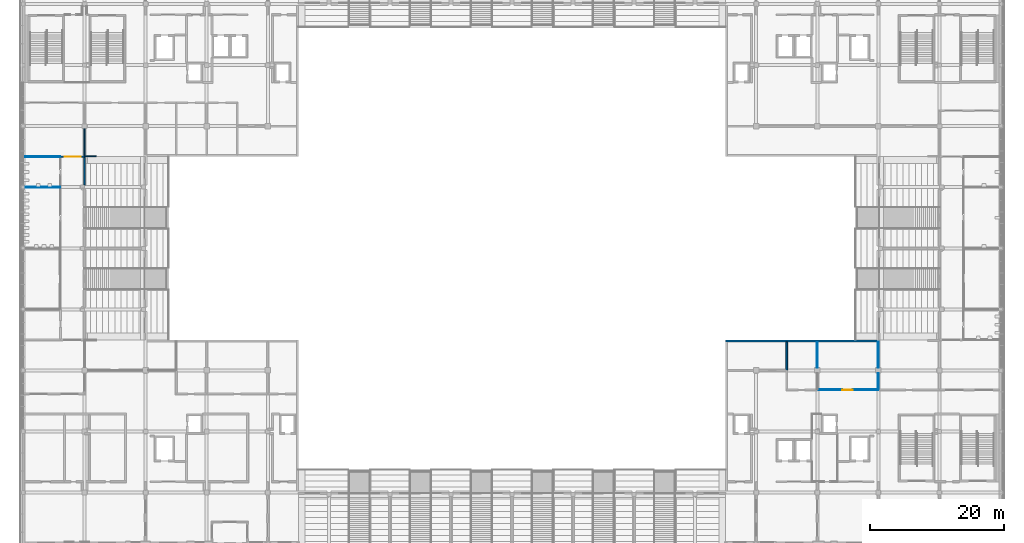
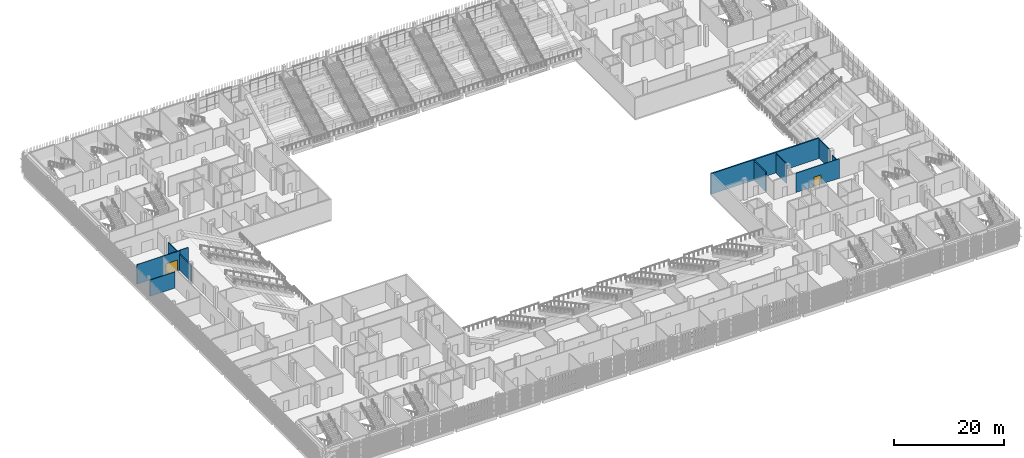
# One storey, part 81 of 139: 12 walls, 2 doors, 2 openings.
"""IFC4 building model written with IfcOpenShell, lengths in metres."""

from ifc_helpers import new_model, si_unit, direction, frame, frame_2d, origin, place, context, subcontext, project, spatial, rectangle, extrude, material, layer, layer_set, type_object, element, fill, save


model = new_model("IFC4")

# Units and contexts
model_context = context("Model", 3, precision=1e-05, world=origin(), true_north=direction((0.0, 1.0)))
body_context = subcontext(model_context, "Body", "Model", "MODEL_VIEW")
ifc_project = project(units=[si_unit("LENGTHUNIT", "METRE"), si_unit("AREAUNIT", "SQUARE_METRE"), si_unit("VOLUMEUNIT", "CUBIC_METRE"), si_unit("PLANEANGLEUNIT", "RADIAN"), si_unit("MASSUNIT", "GRAM", prefix="KILO")], contexts=[model_context])

# Site, building, storey
site_placement = place(None, origin())
site = spatial("IfcSite", under=ifc_project, at=site_placement, CompositionType="ELEMENT")
building_placement = place(site_placement, origin())
building = spatial("IfcBuilding", under=site, at=building_placement, Name="Shirokan Park Arena", CompositionType="ELEMENT")
storey_placement = place(building_placement, frame((0.0, 0.0, 15.469970703125)))
storey = spatial("IfcBuildingStorey", under=building, at=storey_placement, Name="L03", CompositionType="ELEMENT", Elevation=15.469970703125)

# Walls
ifc_material_1 = material(Name="Gypsum board")
ifc_layer_1 = layer(ifc_material_1, 0.02490234375, Name="Gypsum board, two layers")
ifc_material_2 = material(Name="Mineral wool insulation")
ifc_layer_2 = layer(ifc_material_2, 0.10009765625, Name="Acoustic mineral wool in studs")
ifc_layer_3 = layer(ifc_material_1, 0.02490234375, Name="Gypsum board, two layers")
ifc_material_3 = material(Name="Acoustic mat on resilient channel")
ifc_layer_4 = layer(ifc_material_3, 0.02490234375, Name="Acoustic mat on resilient channel")
ifc_layer_set_1 = layer_set([ifc_layer_1, ifc_layer_2, ifc_layer_3, ifc_layer_4], Name="Gypsum board, two layers + Acoustic mineral wool in studs + Acoustic mat on resilient channel")
wall_type_1 = type_object("IfcWallType", Name="Acoustic studio wall 175", PredefinedType="PARTITIONING", material=ifc_layer_set_1)
wall_1_placement = place(storey_placement, frame((9.10009765625, 68.35009765625, 0.0), z_axis=(0.0, 0.0, 1.0), x_axis=(0.0, 1.0, 0.0)))
element("IfcWall", 1, at=wall_1_placement, inside=storey, type_object=wall_type_1, Name="Acoustic studio wall 175 L03", PredefinedType="PARTITIONING", context=body_context, shape_type="SweptSolid", body=[
    extrude(rectangle(XDim=4.099853515625, YDim=0.175048828125, at=frame_2d((2.0498046875, 0.0))), origin(), (0.0, 0.0, 1.0), 3.550048828125),
])
wall_2_placement = place(storey_placement, frame((10.8701171875, 68.33837890625, 0.0), z_axis=(0.0, 0.0, 1.0), x_axis=(-1.0, 0.0, 0.0)))
element("IfcWall", 2, at=wall_2_placement, inside=storey, type_object=wall_type_1, Name="Acoustic studio wall 175 L03", PredefinedType="PARTITIONING", context=body_context, shape_type="SweptSolid", body=[
    extrude(rectangle(XDim=1.77001953125, YDim=0.175048828125, at=frame_2d((0.885009765625, 0.0))), origin(), (0.0, 0.0, 1.0), 4.300048828125),
])
ifc_material_4 = material(Name="Plaster")
ifc_layer_5 = layer(ifc_material_4, 0.014892578125, Name="Plaster")
ifc_material_5 = material(Name="Concrete blockwork", Category="masonry")
ifc_layer_6 = layer(ifc_material_5, 0.219970703125, Name="Concrete blockwork 220")
ifc_layer_7 = layer(ifc_material_4, 0.014892578125, Name="Plaster")
ifc_layer_set_2 = layer_set([ifc_layer_5, ifc_layer_6, ifc_layer_7], Name="Plaster + Concrete blockwork 220")
wall_type_2 = type_object("IfcWallType", Name="Compartment wall 250", PredefinedType="SOLIDWALL", material=ifc_layer_set_2)
wall_3_placement = place(storey_placement, frame((113.75, 36.39990234375, 0.0), z_axis=(0.0, 0.0, 1.0), x_axis=(0.0, 1.0, 0.0)))
element("IfcWall", 3, at=wall_3_placement, inside=storey, type_object=wall_type_2, Name="Compartment wall 250 L03", PredefinedType="SOLIDWALL", context=body_context, shape_type="SweptSolid", body=[
    extrude(rectangle(XDim=4.25, YDim=0.25, at=frame_2d((2.125, 0.0))), origin(), (0.0, 0.0, 1.0), 4.300048828125),
])

# Wall, opening, door
ifc_layer_8 = layer(ifc_material_1, 0.02490234375, Name="Gypsum board, two layers")
ifc_layer_9 = layer(ifc_material_2, 0.14990234375, Name="Mineral wool insulation")
ifc_layer_10 = layer(ifc_material_1, 0.02490234375, Name="Gypsum board, two layers")
ifc_layer_set_3 = layer_set([ifc_layer_8, ifc_layer_9, ifc_layer_10], Name="Gypsum board, two layers + Mineral wool insulation")
wall_type_3 = type_object("IfcWallType", Name="Corridor wall 200", PredefinedType="PARTITIONING", material=ifc_layer_set_3)
wall_4_placement = place(storey_placement, frame((9.10009765625, 68.25, 0.0), z_axis=(0.0, 0.0, 1.0), x_axis=(-1.0, 0.0, 0.0)))
wall_4 = element("IfcWall", 4, at=wall_4_placement, inside=storey, type_object=wall_type_3, Name="Corridor wall 200 L03", PredefinedType="PARTITIONING", context=body_context, shape_type="SweptSolid", body=[
    extrude(rectangle(XDim=3.60009765625, YDim=0.199951171875, at=frame_2d((1.800048828125, 0.0))), origin(), (0.0, 0.0, 1.0), 4.300048828125),
])
opening_1_placement = place(wall_4_placement, frame((0.550048828125, 0.0, 0.0)))
opening_1 = element("IfcOpeningElement", 5, at=opening_1_placement, cuts=wall_4, Name="Opening D-3136", PredefinedType="OPENING", context=body_context, shape_type="SweptSolid", body=[
    extrude(rectangle(XDim=2.39990234375, YDim=2.39990234375, at=frame_2d((1.199951171875, 1.199951171875))), frame((0.0, 0.10986328125, 0.0), z_axis=(0.0, -1.0, 0.0), x_axis=(1.0, 0.0, 0.0)), (0.0, 0.0, 1.0), 0.219970703125),
])
ifc_material_6 = material(Name="Steel door set, fire resisting", Category="steel")
door_type_1 = type_object("IfcDoorType", Name="Double door 2400 x 2400", OperationType="DOUBLE_DOOR_SINGLE_SWING", PredefinedType="DOOR", material=ifc_material_6)
door_1_placement = place(opening_1_placement, origin())
door_1 = element("IfcDoor", 6, at=door_1_placement, inside=storey, type_object=door_type_1, Name="Door between Concourse Link 4.3 and Suite Corridor 3.04 D-3136", OperationType="DOUBLE_DOOR_SINGLE_SWING", OverallHeight=2.39990234375, OverallWidth=2.39990234375, PredefinedType="DOOR", context=body_context, shape_type="SweptSolid", body=[
    extrude(rectangle(XDim=2.39990234375, YDim=2.39990234375, at=frame_2d((1.199951171875, 1.199951171875))), frame((0.0, 0.02490234375, 0.0), z_axis=(0.0, -1.0, 0.0), x_axis=(1.0, 0.0, 0.0)), (0.0, 0.0, 1.0), 0.050048828125),
])
fill(opening_1, door_1)

# Wall
ifc_material_7 = material(Name="Ceramic tile")
ifc_layer_11 = layer(ifc_material_7, 0.010009765625, Name="Ceramic tile")
ifc_material_8 = material(Name="Render")
ifc_layer_12 = layer(ifc_material_8, 0.010009765625, Name="Render")
ifc_layer_13 = layer(ifc_material_5, 0.10009765625, Name="Concrete blockwork 100")
ifc_layer_14 = layer(ifc_material_8, 0.010009765625, Name="Render")
ifc_layer_15 = layer(ifc_material_7, 0.010009765625, Name="Ceramic tile")
ifc_layer_set_4 = layer_set([ifc_layer_11, ifc_layer_12, ifc_layer_13, ifc_layer_14, ifc_layer_15], Name="Ceramic tile + Render + Concrete blockwork 100")
wall_type_4 = type_object("IfcWallType", Name="Kitchen wall 140", PredefinedType="SOLIDWALL", material=ifc_layer_set_4)
wall_5_placement = place(storey_placement, frame((118.300048828125, 36.800048828125, 0.0), z_axis=(0.0, 0.0, 1.0), x_axis=(0.0, 1.0, 0.0)))
element("IfcWall", 7, at=wall_5_placement, inside=storey, type_object=wall_type_4, Name="Kitchen wall 140 L03", PredefinedType="SOLIDWALL", context=body_context, shape_type="SweptSolid", body=[
    extrude(rectangle(XDim=3.849853515625, YDim=0.139892578125, at=frame_2d((1.9248046875, 0.0))), origin(), (0.0, 0.0, 1.0), 4.300048828125),
])

# Wall, opening, door
wall_6_placement = place(storey_placement, frame((127.39990234375, 33.5, 0.0), z_axis=(0.0, 0.0, 1.0), x_axis=(-1.0, 0.0, 0.0)))
wall_6 = element("IfcWall", 8, at=wall_6_placement, inside=storey, type_object=wall_type_4, Name="Kitchen wall 140 L03", PredefinedType="SOLIDWALL", context=body_context, shape_type="SweptSolid", body=[
    extrude(rectangle(XDim=9.099853515625, YDim=0.139892578125, at=frame_2d((4.5498046875, 0.0))), origin(), (0.0, 0.0, 1.0), 4.300048828125),
])
opening_2_placement = place(wall_6_placement, frame((3.85009765625, 0.0, 0.0)))
opening_2 = element("IfcOpeningElement", 9, at=opening_2_placement, cuts=wall_6, Name="Opening D-3020", PredefinedType="OPENING", context=body_context, shape_type="SweptSolid", body=[
    extrude(rectangle(XDim=1.5, YDim=2.10009765625, at=frame_2d((0.75, 1.050048828125))), frame((0.0, 0.079833984375, 0.0), z_axis=(0.0, -1.0, 0.0), x_axis=(1.0, 0.0, 0.0)), (0.0, 0.0, 1.0), 0.159912109375),
])
ifc_material_9 = material(Name="Stainless steel door set, fire resisting", Category="steel")
door_type_2 = type_object("IfcDoorType", Name="Kitchen door 1500 x 2100", OperationType="DOUBLE_DOOR_SINGLE_SWING", PredefinedType="DOOR", material=ifc_material_9)
door_2_placement = place(opening_2_placement, origin())
door_2 = element("IfcDoor", 10, at=door_2_placement, inside=storey, type_object=door_type_2, Name="Door to Hospitality Catering Kitchen 3.22 D-3020", OperationType="DOUBLE_DOOR_SINGLE_SWING", OverallHeight=2.10009765625, OverallWidth=1.5, PredefinedType="DOOR", context=body_context, shape_type="SweptSolid", body=[
    extrude(rectangle(XDim=1.5, YDim=2.10009765625, at=frame_2d((0.75, 1.050048828125))), frame((0.0, 0.02490234375, 0.0), z_axis=(0.0, -1.0, 0.0), x_axis=(1.0, 0.0, 0.0)), (0.0, 0.0, 1.0), 0.050048828125),
])
fill(opening_2, door_2)

# Walls
wall_7_placement = place(storey_placement, frame((127.39990234375, 33.625, 0.0), z_axis=(0.0, 0.0, 1.0), x_axis=(0.0, 1.0, 0.0)))
element("IfcWall", 11, at=wall_7_placement, inside=storey, type_object=wall_type_4, Name="Kitchen wall 140 L03", PredefinedType="SOLIDWALL", context=body_context, shape_type="SweptSolid", body=[
    extrude(rectangle(XDim=2.375, YDim=0.139892578125, at=frame_2d((1.1875, 0.0))), origin(), (0.0, 0.0, 1.0), 3.60009765625),
])
wall_8_placement = place(storey_placement, frame((127.39990234375, 36.800048828125, 0.0), z_axis=(0.0, 0.0, 1.0), x_axis=(0.0, 1.0, 0.0)))
element("IfcWall", 12, at=wall_8_placement, inside=storey, type_object=wall_type_4, Name="Kitchen wall 140 L03", PredefinedType="SOLIDWALL", context=body_context, shape_type="SweptSolid", body=[
    extrude(rectangle(XDim=3.849853515625, YDim=0.139892578125, at=frame_2d((1.9248046875, 0.0))), origin(), (0.0, 0.0, 1.0), 4.300048828125),
])
ifc_material_10 = material(Name="Concrete C35", Category="concrete")
ifc_layer_16 = layer(ifc_material_10, 0.300048828125)
ifc_layer_set_5 = layer_set([ifc_layer_16], Name="Concrete C35 300 mm")
wall_type_5 = type_object("IfcWallType", Name="RC flank wall 300", PredefinedType="SHEAR", material=ifc_layer_set_5)
wall_9_placement = place(storey_placement, frame((104.64990234375, 40.800048828125, 0.0), z_axis=(0.0, 0.0, 1.0), x_axis=(1.0, 0.0, 0.0)))
element("IfcWall", 13, at=wall_9_placement, inside=storey, type_object=wall_type_5, Name="Flank wall E1 L03", PredefinedType="SHEAR", context=body_context, shape_type="SweptSolid", body=[
    extrude(rectangle(XDim=22.75, YDim=0.300048828125, at=frame_2d((11.375, 0.0))), origin(), (0.0, 0.0, 1.0), 4.550048828125),
])
ifc_layer_17 = layer(ifc_material_1, 0.02490234375, Name="Gypsum board, two layers")
ifc_layer_18 = layer(ifc_material_2, 0.074951171875, Name="Mineral wool insulation")
ifc_material_11 = material(Name="Air cavity")
ifc_layer_19 = layer(ifc_material_11, 0.02490234375, Name="Air cavity")
ifc_layer_20 = layer(ifc_material_2, 0.074951171875, Name="Mineral wool insulation")
ifc_layer_21 = layer(ifc_material_1, 0.02490234375, Name="Gypsum board, two layers")
ifc_layer_set_6 = layer_set([ifc_layer_17, ifc_layer_18, ifc_layer_19, ifc_layer_20, ifc_layer_21], Name="Gypsum board, two layers + Mineral wool insulation + Air cavity")
wall_type_6 = type_object("IfcWallType", Name="Suite party wall 225", PredefinedType="PARTITIONING", material=ifc_layer_set_6)
wall_10_placement = place(storey_placement, frame((9.10009765625, 68.14990234375, 0.0), z_axis=(0.0, 0.0, 1.0), x_axis=(0.0, -1.0, 0.0)))
element("IfcWall", 14, at=wall_10_placement, inside=storey, type_object=wall_type_6, Name="Suite party wall 225 L03", PredefinedType="PARTITIONING", context=body_context, shape_type="SweptSolid", body=[
    extrude(rectangle(XDim=4.14990234375, YDim=0.22509765625, at=frame_2d((2.074951171875, 0.0))), origin(), (0.0, 0.0, 1.0), 3.550048828125),
])
ifc_layer_22 = layer(ifc_material_7, 0.010009765625, Name="Ceramic tile")
ifc_material_12 = material(Name="Cement board")
ifc_layer_23 = layer(ifc_material_12, 0.012451171875, Name="Cement board")
ifc_layer_24 = layer(ifc_material_2, 0.080078125, Name="Mineral wool insulation")
ifc_layer_25 = layer(ifc_material_12, 0.012451171875, Name="Cement board")
ifc_layer_26 = layer(ifc_material_7, 0.010009765625, Name="Ceramic tile")
ifc_layer_set_7 = layer_set([ifc_layer_22, ifc_layer_23, ifc_layer_24, ifc_layer_25, ifc_layer_26], Name="Ceramic tile + Cement board + Mineral wool insulation")
wall_type_7 = type_object("IfcWallType", Name="Wet-area wall 125", PredefinedType="PARTITIONING", material=ifc_layer_set_7)
wall_11_placement = place(storey_placement, frame((0.175048828125, 63.699951171875, 0.0), z_axis=(0.0, 0.0, 1.0), x_axis=(1.0, 0.0, 0.0)))
element("IfcWall", 15, at=wall_11_placement, inside=storey, type_object=wall_type_7, Name="Wet-area wall 125 L03", PredefinedType="PARTITIONING", context=body_context, shape_type="SweptSolid", body=[
    extrude(rectangle(XDim=5.262451171875, YDim=0.125, at=frame_2d((2.63134765625, 0.0))), origin(), (0.0, 0.0, 1.0), 3.60009765625),
])
wall_12_placement = place(storey_placement, frame((5.5, 68.25, 0.0), z_axis=(0.0, 0.0, 1.0), x_axis=(-1.0, 0.0, 0.0)))
element("IfcWall", 16, at=wall_12_placement, inside=storey, type_object=wall_type_7, Name="Wet-area wall 125 L03", PredefinedType="PARTITIONING", context=body_context, shape_type="SweptSolid", body=[
    extrude(rectangle(XDim=5.469970703125, YDim=0.125, at=frame_2d((2.73486328125, 0.0))), origin(), (0.0, 0.0, 1.0), 4.300048828125),
])

save(model, "model.ifc")
